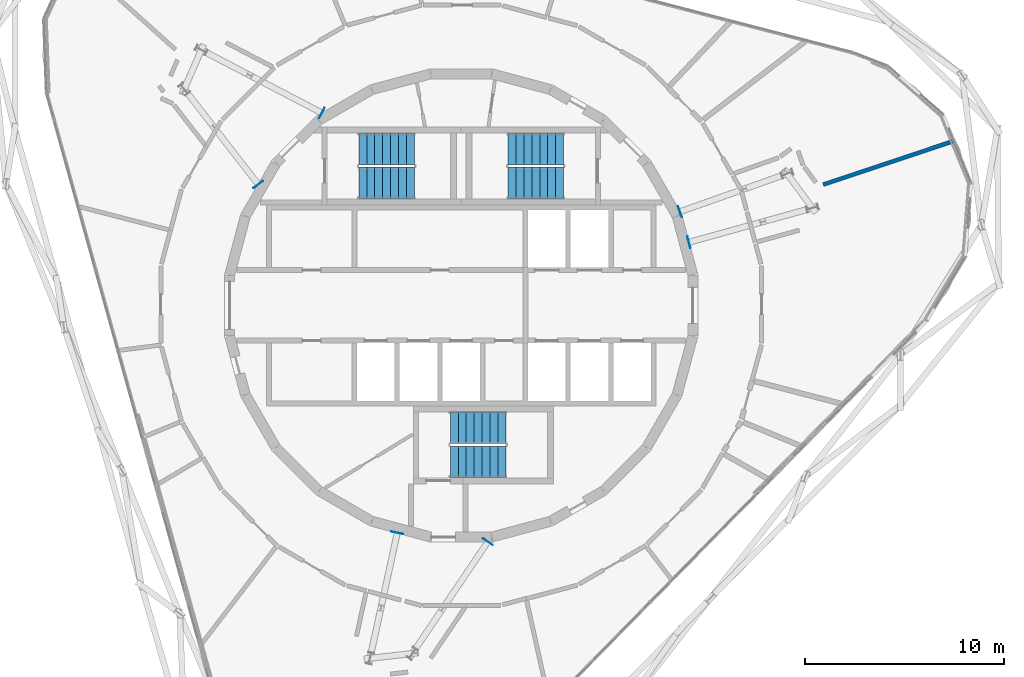
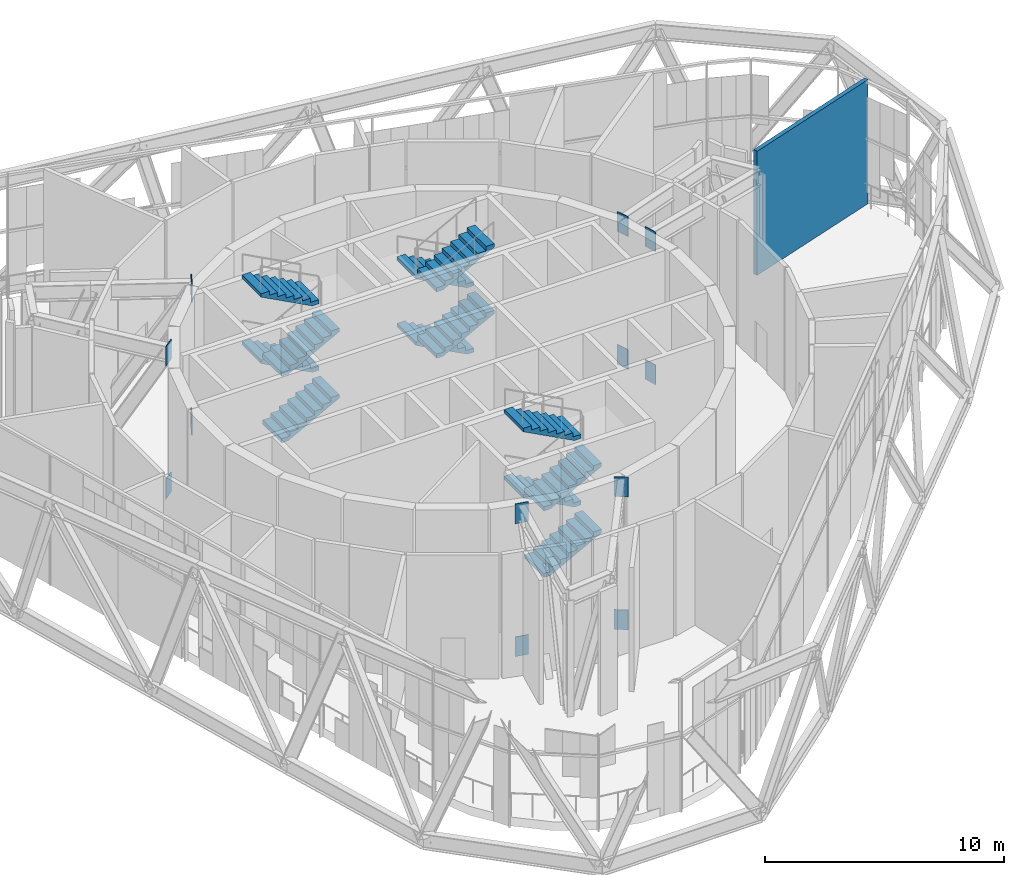
# One storey, part 21 of 23: 12 discrete accessories, 12 stair flights, 1 wall, 3 elements without a shape of their own.
"""IFC4 building model written with IfcOpenShell, lengths in metres."""

from ifc_helpers import new_model, si_unit, direction, frame, frame_2d, origin, origin_2d, place, context, subcontext, project, spatial, polyline, rectangle, outline, extrude, material, layer, layer_set, type_object, element, aggregate, save


model = new_model("IFC4")

# Units and contexts
model_context = context("Model", 3, precision=1e-05, world=origin(), true_north=direction((0.0, 1.0)))
body_context = subcontext(model_context, "Body", "Model", "MODEL_VIEW")
ifc_project = project(units=[si_unit("LENGTHUNIT", "METRE"), si_unit("AREAUNIT", "SQUARE_METRE"), si_unit("VOLUMEUNIT", "CUBIC_METRE"), si_unit("PLANEANGLEUNIT", "RADIAN"), si_unit("MASSUNIT", "GRAM", prefix="KILO")], contexts=[model_context])

# Site, building, storey
site_placement = place(None, origin())
site = spatial("IfcSite", under=ifc_project, at=site_placement, CompositionType="ELEMENT")
building_placement = place(site_placement, origin())
building = spatial("IfcBuilding", under=site, at=building_placement, Name="Spindle Arch Residences", CompositionType="ELEMENT")
storey_placement = place(building_placement, frame((0.0, 0.0, 326.199951171875)))
storey = spatial("IfcBuildingStorey", under=building, at=storey_placement, Name="L84", CompositionType="ELEMENT", Elevation=326.199951171875)

# Wall
ifc_material_1 = material(Name="Gypsum board partition on steel studs", Category="steel")
ifc_layer_1 = layer(ifc_material_1, 0.199951171875)
ifc_layer_set_1 = layer_set([ifc_layer_1], Name="Partition EI 60 200 amenity")
wall_type = type_object("IfcWallType", Name="Partition EI 60 200 amenity", PredefinedType="PARTITIONING", material=ifc_layer_set_1)
wall_placement = place(storey_placement, frame((18.20458984375, 6.078369140625, 0.0), z_axis=(0.0, 0.0, 1.0), x_axis=(0.948547510057, 0.316634838836, 0.0)))
element("IfcWall", 1, at=wall_placement, inside=storey, type_object=wall_type, Name="L84-W069", PredefinedType="PARTITIONING", context=body_context, shape_type="SweptSolid", body=[
    extrude(rectangle(XDim=7.0166015625, YDim=0.199951171875, at=frame_2d((3.50830078125, 0.0))), origin(), (0.0, 0.0, 1.0), 6.35009765625),
])

# Stair, stair flights
ifc_material_2 = material(Name="Concrete C50/60", Category="concrete")
stair_type = type_object("IfcStairType", Name="Exit stair 32 risers", PredefinedType="HALF_TURN_STAIR", material=ifc_material_2)
stair_1_placement = place(storey_placement, origin())
stair_1 = element("IfcStair", 2, at=stair_1_placement, inside=storey, type_object=stair_type, Name="L84 Exit stair ST1", PredefinedType="HALF_TURN_STAIR")
ifc_material_3 = material(Name="Concrete C50/60", Category="concrete")
stair_flight_type = type_object("IfcStairFlightType", Name="Exit stair flight", PredefinedType="STRAIGHT", material=ifc_material_3)
stair_flight_1_placement = place(storey_placement, frame((5.14990234375, 7.8701171875, 0.0), z_axis=(0.0, 0.0, 1.0), x_axis=(-1.0, 0.0, 0.0)))
stair_flight_1 = element("IfcStairFlight", 3, at=stair_flight_1_placement, type_object=stair_flight_type, Name="ST1 flight 1", NumberOfRisers=8, NumberOfTreads=7, PredefinedType="STRAIGHT", RiserHeight=0.2125, TreadLength=0.4, context=body_context, shape_type="SweptSolid", body=[
    extrude(outline(polyline([(0.0, 0.0), (0.0, 0.21240234375), (0.39990234375, 0.21240234375), (0.39990234375, 0.425048828125), (0.800048828125, 0.425048828125), (0.800048828125, 0.637451171875), (1.199951171875, 0.637451171875), (1.199951171875, 0.85009765625), (1.60009765625, 0.85009765625), (1.60009765625, 1.0625), (2.0, 1.0625), (2.0, 1.27490234375), (2.39990234375, 1.27490234375), (2.39990234375, 1.487548828125), (2.800048828125, 1.487548828125), (2.800048828125, 1.699951171875), (2.800048828125, 1.31787109375), (0.319580078125, 0.0), (0.0, 0.0)])), frame((0.0, 0.800048828125, 0.0), z_axis=(0.0, -1.0, 0.0), x_axis=(1.0, 0.0, 0.0)), (0.0, 0.0, 1.0), 1.60009765625),
])
stair_flight_2_placement = place(storey_placement, frame((2.35009765625, 6.14990234375, 1.699951171875), z_axis=(0.0, 0.0, 1.0), x_axis=(1.0, 0.0, 0.0)))
stair_flight_2 = element("IfcStairFlight", 4, at=stair_flight_2_placement, type_object=stair_flight_type, Name="ST1 flight 2", NumberOfRisers=8, NumberOfTreads=7, PredefinedType="STRAIGHT", RiserHeight=0.2125, TreadLength=0.4, context=body_context, shape_type="SweptSolid", body=[
    extrude(outline(polyline([(0.0, 0.0), (0.0, 0.21240234375), (0.39990234375, 0.21240234375), (0.39990234375, 0.425048828125), (0.800048828125, 0.425048828125), (0.800048828125, 0.637451171875), (1.199951171875, 0.637451171875), (1.199951171875, 0.85009765625), (1.60009765625, 0.85009765625), (1.60009765625, 1.0625), (2.0, 1.0625), (2.0, 1.27490234375), (2.39990234375, 1.27490234375), (2.39990234375, 1.487548828125), (2.800048828125, 1.487548828125), (2.800048828125, 1.699951171875), (2.800048828125, 1.31787109375), (0.319580078125, 0.0), (0.0, 0.0)])), frame((0.0, 0.800048828125, 0.0), z_axis=(0.0, -1.0, 0.0), x_axis=(1.0, 0.0, 0.0)), (0.0, 0.0, 1.0), 1.60009765625),
])
stair_flight_3_placement = place(storey_placement, frame((5.14990234375, 7.8701171875, 3.400146484375), z_axis=(0.0, 0.0, 1.0), x_axis=(-1.0, 0.0, 0.0)))
stair_flight_3 = element("IfcStairFlight", 5, at=stair_flight_3_placement, type_object=stair_flight_type, Name="ST1 flight 3", NumberOfRisers=8, NumberOfTreads=7, PredefinedType="STRAIGHT", RiserHeight=0.2125, TreadLength=0.4, context=body_context, shape_type="SweptSolid", body=[
    extrude(outline(polyline([(0.0, 0.0), (0.0, 0.21240234375), (0.39990234375, 0.21240234375), (0.39990234375, 0.425048828125), (0.800048828125, 0.425048828125), (0.800048828125, 0.637451171875), (1.199951171875, 0.637451171875), (1.199951171875, 0.85009765625), (1.60009765625, 0.85009765625), (1.60009765625, 1.0625), (2.0, 1.0625), (2.0, 1.27490234375), (2.39990234375, 1.27490234375), (2.39990234375, 1.487548828125), (2.800048828125, 1.487548828125), (2.800048828125, 1.699951171875), (2.800048828125, 1.31787109375), (0.319580078125, 0.0), (0.0, 0.0)])), frame((0.0, 0.800048828125, 0.0), z_axis=(0.0, -1.0, 0.0), x_axis=(1.0, 0.0, 0.0)), (0.0, 0.0, 1.0), 1.60009765625),
])
stair_flight_4_placement = place(storey_placement, frame((2.35009765625, 6.14990234375, 5.10009765625), z_axis=(0.0, 0.0, 1.0), x_axis=(1.0, 0.0, 0.0)))
stair_flight_4 = element("IfcStairFlight", 6, at=stair_flight_4_placement, type_object=stair_flight_type, Name="ST1 flight 4", NumberOfRisers=8, NumberOfTreads=7, PredefinedType="STRAIGHT", RiserHeight=0.2125, TreadLength=0.4, context=body_context, shape_type="SweptSolid", body=[
    extrude(outline(polyline([(0.0, 0.0), (0.0, 0.21240234375), (0.39990234375, 0.21240234375), (0.39990234375, 0.425048828125), (0.800048828125, 0.425048828125), (0.800048828125, 0.637451171875), (1.199951171875, 0.637451171875), (1.199951171875, 0.85009765625), (1.60009765625, 0.85009765625), (1.60009765625, 1.0625), (2.0, 1.0625), (2.0, 1.27490234375), (2.39990234375, 1.27490234375), (2.39990234375, 1.487548828125), (2.800048828125, 1.487548828125), (2.800048828125, 1.699951171875), (2.800048828125, 1.31787109375), (0.319580078125, 0.0), (0.0, 0.0)])), frame((0.0, 0.800048828125, 0.0), z_axis=(0.0, -1.0, 0.0), x_axis=(1.0, 0.0, 0.0)), (0.0, 0.0, 1.0), 1.60009765625),
])
aggregate(stair_1, [stair_flight_1, stair_flight_2, stair_flight_3, stair_flight_4])

stair_2_placement = place(storey_placement, origin())
stair_2 = element("IfcStair", 7, at=stair_2_placement, inside=storey, type_object=stair_type, Name="L84 Exit stair ST2", PredefinedType="HALF_TURN_STAIR")
stair_flight_5_placement = place(storey_placement, frame((-5.14990234375, 6.14990234375, 0.0), z_axis=(0.0, 0.0, 1.0), x_axis=(1.0, 0.0, 0.0)))
stair_flight_5 = element("IfcStairFlight", 8, at=stair_flight_5_placement, type_object=stair_flight_type, Name="ST2 flight 1", NumberOfRisers=8, NumberOfTreads=7, PredefinedType="STRAIGHT", RiserHeight=0.2125, TreadLength=0.4, context=body_context, shape_type="SweptSolid", body=[
    extrude(outline(polyline([(0.0, 0.0), (0.0, 0.21240234375), (0.39990234375, 0.21240234375), (0.39990234375, 0.425048828125), (0.800048828125, 0.425048828125), (0.800048828125, 0.637451171875), (1.199951171875, 0.637451171875), (1.199951171875, 0.85009765625), (1.60009765625, 0.85009765625), (1.60009765625, 1.0625), (2.0, 1.0625), (2.0, 1.27490234375), (2.39990234375, 1.27490234375), (2.39990234375, 1.487548828125), (2.800048828125, 1.487548828125), (2.800048828125, 1.699951171875), (2.800048828125, 1.31787109375), (0.319580078125, 0.0), (0.0, 0.0)])), frame((0.0, 0.800048828125, 0.0), z_axis=(0.0, -1.0, 0.0), x_axis=(1.0, 0.0, 0.0)), (0.0, 0.0, 1.0), 1.60009765625),
])
stair_flight_6_placement = place(storey_placement, frame((-2.35009765625, 7.8701171875, 1.699951171875), z_axis=(0.0, 0.0, 1.0), x_axis=(-1.0, 0.0, 0.0)))
stair_flight_6 = element("IfcStairFlight", 9, at=stair_flight_6_placement, type_object=stair_flight_type, Name="ST2 flight 2", NumberOfRisers=8, NumberOfTreads=7, PredefinedType="STRAIGHT", RiserHeight=0.2125, TreadLength=0.4, context=body_context, shape_type="SweptSolid", body=[
    extrude(outline(polyline([(0.0, 0.0), (0.0, 0.21240234375), (0.39990234375, 0.21240234375), (0.39990234375, 0.425048828125), (0.800048828125, 0.425048828125), (0.800048828125, 0.637451171875), (1.199951171875, 0.637451171875), (1.199951171875, 0.85009765625), (1.60009765625, 0.85009765625), (1.60009765625, 1.0625), (2.0, 1.0625), (2.0, 1.27490234375), (2.39990234375, 1.27490234375), (2.39990234375, 1.487548828125), (2.800048828125, 1.487548828125), (2.800048828125, 1.699951171875), (2.800048828125, 1.31787109375), (0.319580078125, 0.0), (0.0, 0.0)])), frame((0.0, 0.800048828125, 0.0), z_axis=(0.0, -1.0, 0.0), x_axis=(1.0, 0.0, 0.0)), (0.0, 0.0, 1.0), 1.60009765625),
])
stair_flight_7_placement = place(storey_placement, frame((-5.14990234375, 6.14990234375, 3.400146484375), z_axis=(0.0, 0.0, 1.0), x_axis=(1.0, 0.0, 0.0)))
stair_flight_7 = element("IfcStairFlight", 10, at=stair_flight_7_placement, type_object=stair_flight_type, Name="ST2 flight 3", NumberOfRisers=8, NumberOfTreads=7, PredefinedType="STRAIGHT", RiserHeight=0.2125, TreadLength=0.4, context=body_context, shape_type="SweptSolid", body=[
    extrude(outline(polyline([(0.0, 0.0), (0.0, 0.21240234375), (0.39990234375, 0.21240234375), (0.39990234375, 0.425048828125), (0.800048828125, 0.425048828125), (0.800048828125, 0.637451171875), (1.199951171875, 0.637451171875), (1.199951171875, 0.85009765625), (1.60009765625, 0.85009765625), (1.60009765625, 1.0625), (2.0, 1.0625), (2.0, 1.27490234375), (2.39990234375, 1.27490234375), (2.39990234375, 1.487548828125), (2.800048828125, 1.487548828125), (2.800048828125, 1.699951171875), (2.800048828125, 1.31787109375), (0.319580078125, 0.0), (0.0, 0.0)])), frame((0.0, 0.800048828125, 0.0), z_axis=(0.0, -1.0, 0.0), x_axis=(1.0, 0.0, 0.0)), (0.0, 0.0, 1.0), 1.60009765625),
])
stair_flight_8_placement = place(storey_placement, frame((-2.35009765625, 7.8701171875, 5.10009765625), z_axis=(0.0, 0.0, 1.0), x_axis=(-1.0, 0.0, 0.0)))
stair_flight_8 = element("IfcStairFlight", 11, at=stair_flight_8_placement, type_object=stair_flight_type, Name="ST2 flight 4", NumberOfRisers=8, NumberOfTreads=7, PredefinedType="STRAIGHT", RiserHeight=0.2125, TreadLength=0.4, context=body_context, shape_type="SweptSolid", body=[
    extrude(outline(polyline([(0.0, 0.0), (0.0, 0.21240234375), (0.39990234375, 0.21240234375), (0.39990234375, 0.425048828125), (0.800048828125, 0.425048828125), (0.800048828125, 0.637451171875), (1.199951171875, 0.637451171875), (1.199951171875, 0.85009765625), (1.60009765625, 0.85009765625), (1.60009765625, 1.0625), (2.0, 1.0625), (2.0, 1.27490234375), (2.39990234375, 1.27490234375), (2.39990234375, 1.487548828125), (2.800048828125, 1.487548828125), (2.800048828125, 1.699951171875), (2.800048828125, 1.31787109375), (0.319580078125, 0.0), (0.0, 0.0)])), frame((0.0, 0.800048828125, 0.0), z_axis=(0.0, -1.0, 0.0), x_axis=(1.0, 0.0, 0.0)), (0.0, 0.0, 1.0), 1.60009765625),
])
aggregate(stair_2, [stair_flight_5, stair_flight_6, stair_flight_7, stair_flight_8])

stair_3_placement = place(storey_placement, origin())
stair_3 = element("IfcStair", 12, at=stair_3_placement, inside=storey, type_object=stair_type, Name="L84 Exit stair ST3", PredefinedType="HALF_TURN_STAIR")
stair_flight_9_placement = place(storey_placement, frame((-0.550048828125, -7.8701171875, 0.0), z_axis=(0.0, 0.0, 1.0), x_axis=(1.0, 0.0, 0.0)))
stair_flight_9 = element("IfcStairFlight", 13, at=stair_flight_9_placement, type_object=stair_flight_type, Name="ST3 flight 1", NumberOfRisers=8, NumberOfTreads=7, PredefinedType="STRAIGHT", RiserHeight=0.2125, TreadLength=0.4, context=body_context, shape_type="SweptSolid", body=[
    extrude(outline(polyline([(0.0, 0.0), (0.0, 0.21240234375), (0.39990234375, 0.21240234375), (0.39990234375, 0.425048828125), (0.800048828125, 0.425048828125), (0.800048828125, 0.637451171875), (1.199951171875, 0.637451171875), (1.199951171875, 0.85009765625), (1.60009765625, 0.85009765625), (1.60009765625, 1.0625), (2.0, 1.0625), (2.0, 1.27490234375), (2.39990234375, 1.27490234375), (2.39990234375, 1.487548828125), (2.800048828125, 1.487548828125), (2.800048828125, 1.699951171875), (2.800048828125, 1.31787109375), (0.319580078125, 0.0), (0.0, 0.0)])), frame((0.0, 0.800048828125, 0.0), z_axis=(0.0, -1.0, 0.0), x_axis=(1.0, 0.0, 0.0)), (0.0, 0.0, 1.0), 1.60009765625),
])
stair_flight_10_placement = place(storey_placement, frame((2.25, -6.14990234375, 1.699951171875), z_axis=(0.0, 0.0, 1.0), x_axis=(-1.0, 0.0, 0.0)))
stair_flight_10 = element("IfcStairFlight", 14, at=stair_flight_10_placement, type_object=stair_flight_type, Name="ST3 flight 2", NumberOfRisers=8, NumberOfTreads=7, PredefinedType="STRAIGHT", RiserHeight=0.2125, TreadLength=0.4, context=body_context, shape_type="SweptSolid", body=[
    extrude(outline(polyline([(0.0, 0.0), (0.0, 0.21240234375), (0.39990234375, 0.21240234375), (0.39990234375, 0.425048828125), (0.800048828125, 0.425048828125), (0.800048828125, 0.637451171875), (1.199951171875, 0.637451171875), (1.199951171875, 0.85009765625), (1.60009765625, 0.85009765625), (1.60009765625, 1.0625), (2.0, 1.0625), (2.0, 1.27490234375), (2.39990234375, 1.27490234375), (2.39990234375, 1.487548828125), (2.800048828125, 1.487548828125), (2.800048828125, 1.699951171875), (2.800048828125, 1.31787109375), (0.319580078125, 0.0), (0.0, 0.0)])), frame((0.0, 0.800048828125, 0.0), z_axis=(0.0, -1.0, 0.0), x_axis=(1.0, 0.0, 0.0)), (0.0, 0.0, 1.0), 1.60009765625),
])
stair_flight_11_placement = place(storey_placement, frame((-0.550048828125, -7.8701171875, 3.400146484375), z_axis=(0.0, 0.0, 1.0), x_axis=(1.0, 0.0, 0.0)))
stair_flight_11 = element("IfcStairFlight", 15, at=stair_flight_11_placement, type_object=stair_flight_type, Name="ST3 flight 3", NumberOfRisers=8, NumberOfTreads=7, PredefinedType="STRAIGHT", RiserHeight=0.2125, TreadLength=0.4, context=body_context, shape_type="SweptSolid", body=[
    extrude(outline(polyline([(0.0, 0.0), (0.0, 0.21240234375), (0.39990234375, 0.21240234375), (0.39990234375, 0.425048828125), (0.800048828125, 0.425048828125), (0.800048828125, 0.637451171875), (1.199951171875, 0.637451171875), (1.199951171875, 0.85009765625), (1.60009765625, 0.85009765625), (1.60009765625, 1.0625), (2.0, 1.0625), (2.0, 1.27490234375), (2.39990234375, 1.27490234375), (2.39990234375, 1.487548828125), (2.800048828125, 1.487548828125), (2.800048828125, 1.699951171875), (2.800048828125, 1.31787109375), (0.319580078125, 0.0), (0.0, 0.0)])), frame((0.0, 0.800048828125, 0.0), z_axis=(0.0, -1.0, 0.0), x_axis=(1.0, 0.0, 0.0)), (0.0, 0.0, 1.0), 1.60009765625),
])
stair_flight_12_placement = place(storey_placement, frame((2.25, -6.14990234375, 5.10009765625), z_axis=(0.0, 0.0, 1.0), x_axis=(-1.0, 0.0, 0.0)))
stair_flight_12 = element("IfcStairFlight", 16, at=stair_flight_12_placement, type_object=stair_flight_type, Name="ST3 flight 4", NumberOfRisers=8, NumberOfTreads=7, PredefinedType="STRAIGHT", RiserHeight=0.2125, TreadLength=0.4, context=body_context, shape_type="SweptSolid", body=[
    extrude(outline(polyline([(0.0, 0.0), (0.0, 0.21240234375), (0.39990234375, 0.21240234375), (0.39990234375, 0.425048828125), (0.800048828125, 0.425048828125), (0.800048828125, 0.637451171875), (1.199951171875, 0.637451171875), (1.199951171875, 0.85009765625), (1.60009765625, 0.85009765625), (1.60009765625, 1.0625), (2.0, 1.0625), (2.0, 1.27490234375), (2.39990234375, 1.27490234375), (2.39990234375, 1.487548828125), (2.800048828125, 1.487548828125), (2.800048828125, 1.699951171875), (2.800048828125, 1.31787109375), (0.319580078125, 0.0), (0.0, 0.0)])), frame((0.0, 0.800048828125, 0.0), z_axis=(0.0, -1.0, 0.0), x_axis=(1.0, 0.0, 0.0)), (0.0, 0.0, 1.0), 1.60009765625),
])
aggregate(stair_3, [stair_flight_9, stair_flight_10, stair_flight_11, stair_flight_12])

# Discrete accessories
ifc_material_4 = material(Name="Steel S355J2, hot-dip galvanised", Category="steel")
ifc_layer_2 = layer(ifc_material_4, 0.030029296875)
ifc_layer_set_2 = layer_set([ifc_layer_2], Name="Cast-in plate 30x600x1014")
discrete_accessory_type = type_object("IfcDiscreteAccessoryType", Name="Cast-in plate 30x600x1014", PredefinedType="ANCHORPLATE", material=ifc_layer_set_2)
for number, where, z_axis, x_axis, name in (
    (17, (11.45068359375, 3.175537109375, -1.36376953125), (0.0, 0.0, 1.0), (0.963629986788, 0.26724005793, 0.0), "Cast-in plate"),
    (18, (11.45068359375, 3.175537109375, 5.43603515625), (0.0, 0.0, 1.0), (0.963629986788, 0.26724005793, 0.0), "Cast-in plate"),
    (19, (11.000244140625, 4.71240234375, -1.36376953125), (0.0, 0.0, 1.0), (0.942585547985, 0.333964795645, 0.0), "Cast-in plate"),
    (20, (11.000244140625, 4.71240234375, 5.43603515625), (0.0, 0.0, 1.0), (0.942585547985, 0.333964795645, 0.0), "Cast-in plate"),
    (21, (-7.006103515625, 9.67822265625, -1.36376953125), (0.0, 0.0, 1.0), (-0.886378982762, 0.462960364304, 0.0), "Cast-in plate"),
    (22, (-7.006103515625, 9.67822265625, 5.43603515625), (0.0, 0.0, 1.0), (-0.886378982762, 0.462960364304, 0.0), "Cast-in plate"),
    (23, (-10.208251953125, 6.085693359375, -1.36376953125), (0.0, 0.0, 1.0), (-0.612909811811, 0.790152872922, 0.0), "Cast-in plate"),
    (24, (-10.208251953125, 6.085693359375, 5.43603515625), (0.0, 0.0, 1.0), (-0.612909811811, 0.790152872922, 0.0), "Cast-in plate"),
    (25, (-3.21728515625, -11.439453125, -1.36376953125), (0.0, 0.0, 1.0), (-0.212602344026, -0.977138804528, 0.0), "Cast-in plate"),
    (26, (-3.21728515625, -11.439453125, 5.43603515625), (0.0, 0.0, 1.0), (-0.212602344026, -0.977138804528, 0.0), "Cast-in plate"),
    (27, (1.336669921875, -11.885009765625, -1.36376953125), (0.0, 0.0, 1.0), (-0.55980336191, -0.828625485967, 0.0), "Cast-in plate"),
    (28, (1.336669921875, -11.885009765625, 5.43603515625), (0.0, 0.0, 1.0), (-0.55980336191, -0.828625485967, 0.0), "Cast-in plate"),
):
    element("IfcDiscreteAccessory", number, at=place(storey_placement, frame(where, z_axis=z_axis, x_axis=x_axis)), inside=storey, type_object=discrete_accessory_type, Name=name, PredefinedType="ANCHORPLATE", context=body_context, shape_type="SweptSolid", body=[
        extrude(rectangle(XDim=0.030029296875, YDim=0.60009765625, at=origin_2d()), origin(), (0.0, 0.0, 1.0), 1.013916015625),
    ])

save(model, "model.ifc")
